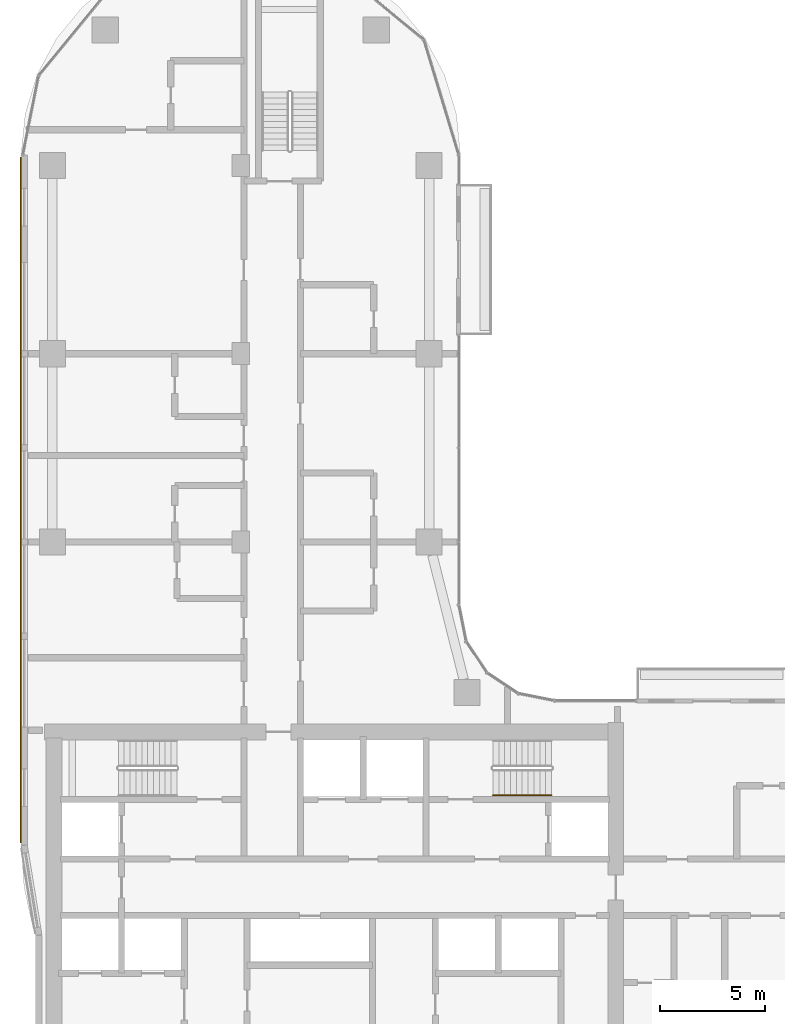
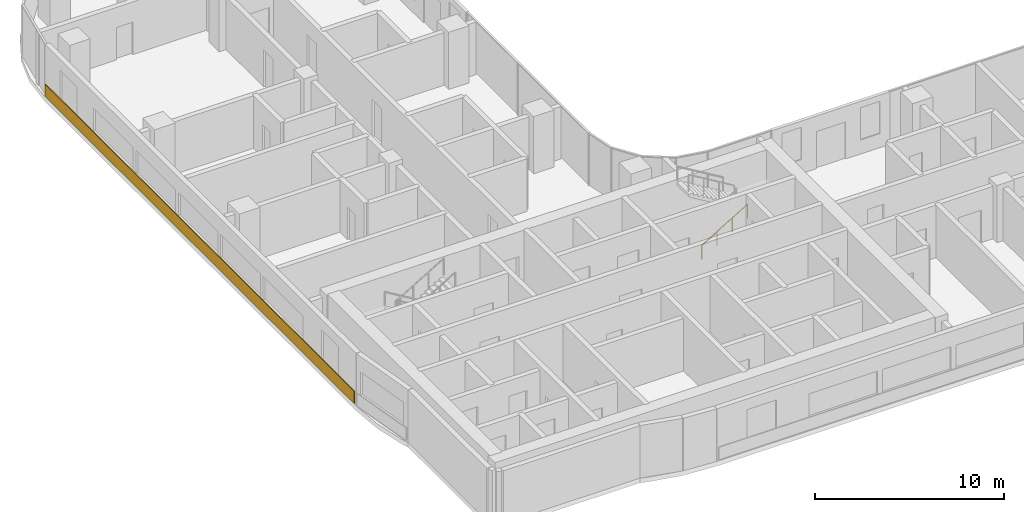
# One storey, part 16 of 21: 1 covering, 1 railing.
"""IFC4 building model written with IfcOpenShell, lengths in metres."""

from ifc_helpers import new_model, si_unit, direction, frame, origin, origin_2d, place, context, subcontext, project, spatial, rectangle, circle, extrude, material, layer, layer_set, type_object, element, save


model = new_model("IFC4")

# Units and contexts
model_context = context("Model", 3, precision=1e-05, world=origin(), true_north=direction((0.0, 1.0)))
body_context = subcontext(model_context, "Body", "Model", "MODEL_VIEW")
ifc_project = project(units=[si_unit("LENGTHUNIT", "METRE"), si_unit("AREAUNIT", "SQUARE_METRE"), si_unit("VOLUMEUNIT", "CUBIC_METRE"), si_unit("PLANEANGLEUNIT", "RADIAN"), si_unit("MASSUNIT", "GRAM", prefix="KILO")], contexts=[model_context])

# Site, building, storey
site_placement = place(None, origin())
site = spatial("IfcSite", under=ifc_project, at=site_placement, CompositionType="ELEMENT")
building_placement = place(site_placement, origin())
building = spatial("IfcBuilding", under=site, at=building_placement, Name="Ogive Portal Towers", CompositionType="ELEMENT")
storey_placement = place(building_placement, frame((0.0, 0.0, 109.300048828125)))
storey = spatial("IfcBuildingStorey", under=building, at=storey_placement, Name="L26", CompositionType="ELEMENT", Elevation=109.300048828125)

# Railing
ifc_material_1 = material(Name="Stainless steel handrail", Category="steel")
railing_type = type_object("IfcRailingType", Name="INT-HANDRAIL", PredefinedType="HANDRAIL", material=ifc_material_1)
railing_placement = place(storey_placement, frame((52.550048828125, 36.39990234375, 0.168212890625)))
element("IfcRailing", 1, at=railing_placement, inside=storey, type_object=railing_type, Name="L26 ST-A2 stair handrail 1", PredefinedType="HANDRAIL", context=body_context, shape_type="SweptSolid", body=[
    extrude(circle(Radius=0.02392578125, at=origin_2d()), frame((0.0, 0.0, 0.8759765625), z_axis=(0.857275202839, 0.0, 0.514858452973), x_axis=(0.0, 1.0, 0.0)), (0.0, 0.0, 1.0), 3.26611328125),
    extrude(circle(Radius=0.02099609375, at=origin_2d()), origin(), (0.0, 0.0, 1.0), 0.851806640625),
    extrude(circle(Radius=0.02099609375, at=origin_2d()), frame((0.933349609375, 0.0, 0.560546875)), (0.0, 0.0, 1.0), 0.851806640625),
    extrude(circle(Radius=0.02099609375, at=origin_2d()), frame((1.86669921875, 0.0, 1.12109375)), (0.0, 0.0, 1.0), 0.851806640625),
    extrude(circle(Radius=0.02099609375, at=origin_2d()), frame((2.800048828125, 0.0, 1.681640625)), (0.0, 0.0, 1.0), 0.851806640625),
])

# Covering
ifc_material_2 = material(Name="Limestone cladding on lightweight block wall", Category="masonry")
ifc_layer = layer(ifc_material_2, 0.050048828125)
ifc_layer_set = layer_set([ifc_layer], Name="SCREEN PERFORATED STONE")
covering_type = type_object("IfcCoveringType", Name="SCREEN PERFORATED STONE", PredefinedType="CLADDING", material=ifc_layer_set)
covering_placement = place(storey_placement, frame((29.97509765625, 50.50830078125, 0.10009765625), z_axis=(0.0, 0.0, 1.0), x_axis=(0.0, -1.0, 0.0)))
element("IfcCovering", 2, at=covering_placement, inside=storey, type_object=covering_type, Name="Tracery screen", PredefinedType="CLADDING", context=body_context, shape_type="SweptSolid", body=[
    extrude(rectangle(XDim=32.767822265625, YDim=0.050048828125, at=origin_2d()), origin(), (0.0, 0.0, 1.0), 0.800048828125),
])

save(model, "model.ifc")
